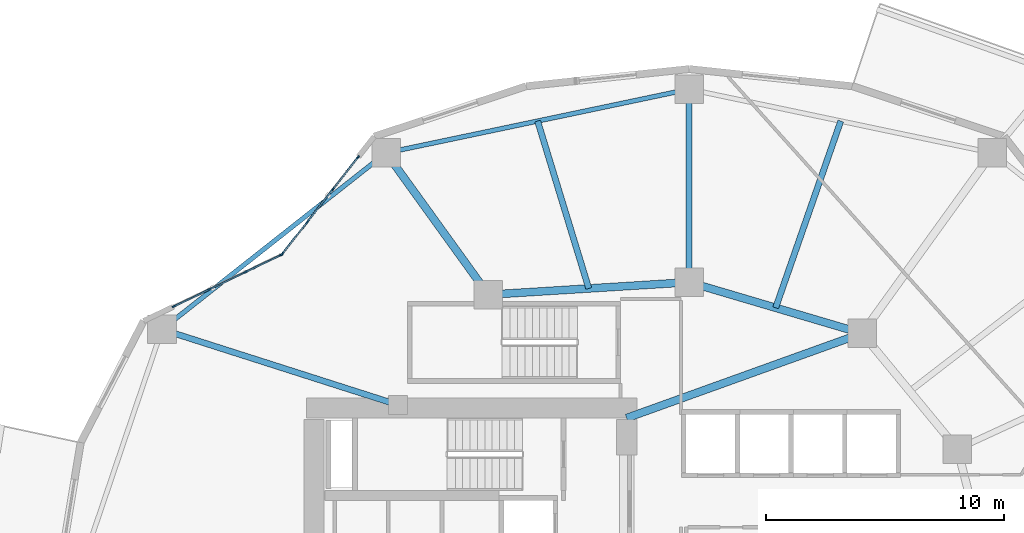
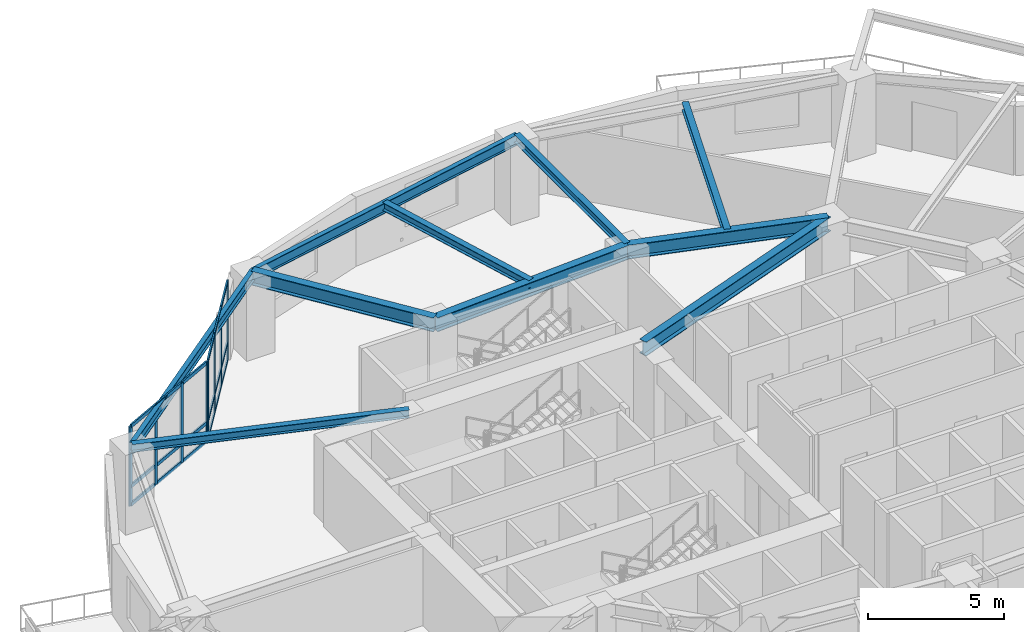
# One storey, part 6 of 18: 26 members, 10 beams, 2 elements without a shape of their own.
"""IFC4 building model written with IfcOpenShell, lengths in metres."""

from ifc_helpers import new_model, si_unit, direction, frame, origin, origin_2d, place, context, subcontext, project, spatial, rectangle, i_section, extrude, material, layer, layer_set, material_profile, profile_set, type_object, element, aggregate, save


model = new_model("IFC4")

# Units and contexts
model_context = context("Model", 3, precision=1e-05, world=origin(), true_north=direction((0.0, 1.0)))
body_context = subcontext(model_context, "Body", "Model", "MODEL_VIEW")
ifc_project = project(units=[si_unit("LENGTHUNIT", "METRE"), si_unit("AREAUNIT", "SQUARE_METRE"), si_unit("VOLUMEUNIT", "CUBIC_METRE"), si_unit("PLANEANGLEUNIT", "RADIAN"), si_unit("MASSUNIT", "GRAM", prefix="KILO")], contexts=[model_context])

# Site, building, storey
site_placement = place(None, origin())
site = spatial("IfcSite", under=ifc_project, at=site_placement, CompositionType="ELEMENT")
building_placement = place(site_placement, origin())
building = spatial("IfcBuilding", under=site, at=building_placement, Name="Kolvaren Gate Tower and Convention Centre", CompositionType="ELEMENT")
storey_placement = place(building_placement, frame((0.0, 0.0, 53.449951171875)))
storey = spatial("IfcBuildingStorey", under=building, at=storey_placement, Name="L12", CompositionType="ELEMENT", Elevation=53.449951171875)

# Curtain wall, members
ifc_material_1 = material(Name="Anodized Architectural Aluminium Alloy 6063-T6", Category="aluminium")
ifc_layer = layer(ifc_material_1, 0.159912109375)
ifc_layer_set = layer_set([ifc_layer], Name="Anodized Architectural Aluminium Alloy 6063-T6")
curtain_wall_type = type_object("IfcCurtainWallType", Name="CW-OFF-UNIT", PredefinedType="NOTDEFINED", material=ifc_layer_set)
curtain_wall_1_placement = place(storey_placement, origin())
curtain_wall_1 = element("IfcCurtainWall", 1, at=curtain_wall_1_placement, inside=storey, type_object=curtain_wall_type, Name="Tower L12 Unitised Curtain Wall CW-OFF-UNIT Bay 08", PredefinedType="NOTDEFINED")
ifc_material_profile_1 = material_profile(ifc_material_1, rectangle(XDim=0.06494140625, YDim=0.159912109375, at=origin_2d()), Name="CW-MEM-MUL-160")
ifc_profile_set_1 = profile_set([ifc_material_profile_1], Name="Anodized Architectural Aluminium Alloy 6063-T6")
member_type_1 = type_object("IfcMemberType", Name="CW-MEM-MUL-160", PredefinedType="MULLION", material=ifc_profile_set_1)
member_1_placement = place(storey_placement, frame((13.046142578125, 40.3857421875, 0.0), z_axis=(0.0, 0.0, 1.0), x_axis=(-0.787403080271, 0.616438471527, 0.0)))
member_1 = element("IfcMember", 2, at=member_1_placement, type_object=member_type_1, Name="CW-02 mullion 1", PredefinedType="MULLION", context=body_context, shape_type="SweptSolid", body=[
    extrude(rectangle(XDim=0.06494140625, YDim=0.159912109375, at=origin_2d()), origin(), (0.0, 0.0, 1.0), 3.570068359375),
])
member_2_placement = place(storey_placement, frame((14.098388671875, 41.729736328125, 0.0), z_axis=(0.0, 0.0, 1.0), x_axis=(-0.787403080271, 0.616438471527, 0.0)))
member_2 = element("IfcMember", 3, at=member_2_placement, type_object=member_type_1, Name="CW-02 mullion 2", PredefinedType="MULLION", context=body_context, shape_type="SweptSolid", body=[
    extrude(rectangle(XDim=0.06494140625, YDim=0.159912109375, at=origin_2d()), origin(), (0.0, 0.0, 1.0), 3.570068359375),
])
member_3_placement = place(storey_placement, frame((15.17041015625, 43.09912109375, 0.0), z_axis=(0.0, 0.0, 1.0), x_axis=(-0.787403080271, 0.616438471527, 0.0)))
member_3 = element("IfcMember", 4, at=member_3_placement, type_object=member_type_1, Name="CW-02 mullion 3", PredefinedType="MULLION", context=body_context, shape_type="SweptSolid", body=[
    extrude(rectangle(XDim=0.06494140625, YDim=0.159912109375, at=origin_2d()), origin(), (0.0, 0.0, 1.0), 3.570068359375),
])
member_4_placement = place(storey_placement, frame((16.22265625, 44.443115234375, 0.0), z_axis=(0.0, 0.0, 1.0), x_axis=(-0.787403080271, 0.616438471527, 0.0)))
member_4 = element("IfcMember", 5, at=member_4_placement, type_object=member_type_1, Name="CW-02 mullion 4", PredefinedType="MULLION", context=body_context, shape_type="SweptSolid", body=[
    extrude(rectangle(XDim=0.06494140625, YDim=0.159912109375, at=origin_2d()), origin(), (0.0, 0.0, 1.0), 3.570068359375),
])

curtain_wall_2_placement = place(storey_placement, origin())
curtain_wall_2 = element("IfcCurtainWall", 6, at=curtain_wall_2_placement, inside=storey, type_object=curtain_wall_type, Name="Tower L12 Unitised Curtain Wall CW-OFF-UNIT Bay 09", PredefinedType="NOTDEFINED")
member_5_placement = place(storey_placement, frame((8.503662109375, 38.187255859375, 0.0), z_axis=(0.0, 0.0, 1.0), x_axis=(-0.433074806981, 0.901357981913, 0.0)))
member_5 = element("IfcMember", 7, at=member_5_placement, type_object=member_type_1, Name="CW-02 mullion 1", PredefinedType="MULLION", context=body_context, shape_type="SweptSolid", body=[
    extrude(rectangle(XDim=0.06494140625, YDim=0.159912109375, at=origin_2d()), origin(), (0.0, 0.0, 1.0), 3.570068359375),
])
member_6_placement = place(storey_placement, frame((9.991455078125, 38.902099609375, 0.0), z_axis=(0.0, 0.0, 1.0), x_axis=(-0.433074806981, 0.901357981913, 0.0)))
member_6 = element("IfcMember", 8, at=member_6_placement, type_object=member_type_1, Name="CW-02 mullion 2", PredefinedType="MULLION", context=body_context, shape_type="SweptSolid", body=[
    extrude(rectangle(XDim=0.06494140625, YDim=0.159912109375, at=origin_2d()), origin(), (0.0, 0.0, 1.0), 3.570068359375),
])
member_7_placement = place(storey_placement, frame((11.5087890625, 39.631103515625, 0.0), z_axis=(0.0, 0.0, 1.0), x_axis=(-0.433074806981, 0.901357981913, 0.0)))
member_7 = element("IfcMember", 9, at=member_7_placement, type_object=member_type_1, Name="CW-02 mullion 3", PredefinedType="MULLION", context=body_context, shape_type="SweptSolid", body=[
    extrude(rectangle(XDim=0.06494140625, YDim=0.159912109375, at=origin_2d()), origin(), (0.0, 0.0, 1.0), 3.570068359375),
])
member_8_placement = place(storey_placement, frame((12.996826171875, 40.345947265625, 0.0), z_axis=(0.0, 0.0, 1.0), x_axis=(-0.433074806981, 0.901357981913, 0.0)))
member_8 = element("IfcMember", 10, at=member_8_placement, type_object=member_type_1, Name="CW-02 mullion 4", PredefinedType="MULLION", context=body_context, shape_type="SweptSolid", body=[
    extrude(rectangle(XDim=0.06494140625, YDim=0.159912109375, at=origin_2d()), origin(), (0.0, 0.0, 1.0), 3.570068359375),
])

# Member
ifc_material_profile_2 = material_profile(ifc_material_1, rectangle(XDim=0.06494140625, YDim=0.159912109375, at=origin_2d()), Name="CW-MEM-TRN-160")
ifc_profile_set_2 = profile_set([ifc_material_profile_2], Name="Anodized Architectural Aluminium Alloy 6063-T6")
member_type_2 = type_object("IfcMemberType", Name="CW-MEM-TRN-160", PredefinedType="USERDEFINED", material=ifc_profile_set_2)
member_9_placement = place(storey_placement, frame((13.066162109375, 40.411376953125, 0.032470703125), z_axis=(0.61650069609, 0.787354362228, 0.0), x_axis=(-0.787354362228, 0.61650069609, 0.0)))
member_9 = element("IfcMember", 11, at=member_9_placement, type_object=member_type_2, Name="CW-02 transom 1.1", ObjectType="TRANSOM", PredefinedType="USERDEFINED", context=body_context, shape_type="SweptSolid", body=[
    extrude(rectangle(XDim=0.06494140625, YDim=0.159912109375, at=origin_2d()), origin(), (0.0, 0.0, 1.0), 1.641845703125),
])

member_10_placement = place(storey_placement, frame((13.066162109375, 40.411376953125, 0.85009765625), z_axis=(0.61650069609, 0.787354362228, 0.0), x_axis=(-0.787354362228, 0.61650069609, 0.0)))
member_10 = element("IfcMember", 12, at=member_10_placement, type_object=member_type_2, Name="CW-02 transom 1.2", ObjectType="TRANSOM", PredefinedType="USERDEFINED", context=body_context, shape_type="SweptSolid", body=[
    extrude(rectangle(XDim=0.06494140625, YDim=0.159912109375, at=origin_2d()), origin(), (0.0, 0.0, 1.0), 1.641845703125),
])

member_11_placement = place(storey_placement, frame((13.066162109375, 40.411376953125, 3.53759765625), z_axis=(0.61650069609, 0.787354362228, 0.0), x_axis=(-0.787354362228, 0.61650069609, 0.0)))
member_11 = element("IfcMember", 13, at=member_11_placement, type_object=member_type_2, Name="CW-02 transom 1.3", ObjectType="TRANSOM", PredefinedType="USERDEFINED", context=body_context, shape_type="SweptSolid", body=[
    extrude(rectangle(XDim=0.06494140625, YDim=0.159912109375, at=origin_2d()), origin(), (0.0, 0.0, 1.0), 1.641845703125),
])

member_12_placement = place(storey_placement, frame((14.118408203125, 41.75537109375, 0.032470703125), z_axis=(0.61639082822, 0.787440376718, 0.0), x_axis=(-0.787440376718, 0.61639082822, 0.0)))
member_12 = element("IfcMember", 14, at=member_12_placement, type_object=member_type_2, Name="CW-02 transom 2.1", ObjectType="TRANSOM", PredefinedType="USERDEFINED", context=body_context, shape_type="SweptSolid", body=[
    extrude(rectangle(XDim=0.06494140625, YDim=0.159912109375, at=origin_2d()), origin(), (0.0, 0.0, 1.0), 1.67431640625),
])

member_13_placement = place(storey_placement, frame((14.118408203125, 41.75537109375, 0.85009765625), z_axis=(0.61639082822, 0.787440376718, 0.0), x_axis=(-0.787440376718, 0.61639082822, 0.0)))
member_13 = element("IfcMember", 15, at=member_13_placement, type_object=member_type_2, Name="CW-02 transom 2.2", ObjectType="TRANSOM", PredefinedType="USERDEFINED", context=body_context, shape_type="SweptSolid", body=[
    extrude(rectangle(XDim=0.06494140625, YDim=0.159912109375, at=origin_2d()), origin(), (0.0, 0.0, 1.0), 1.67431640625),
])

member_14_placement = place(storey_placement, frame((14.118408203125, 41.75537109375, 3.53759765625), z_axis=(0.61639082822, 0.787440376718, 0.0), x_axis=(-0.787440376718, 0.61639082822, 0.0)))
member_14 = element("IfcMember", 16, at=member_14_placement, type_object=member_type_2, Name="CW-02 transom 2.3", ObjectType="TRANSOM", PredefinedType="USERDEFINED", context=body_context, shape_type="SweptSolid", body=[
    extrude(rectangle(XDim=0.06494140625, YDim=0.159912109375, at=origin_2d()), origin(), (0.0, 0.0, 1.0), 1.67431640625),
])

member_15_placement = place(storey_placement, frame((15.1904296875, 43.124755859375, 0.032470703125), z_axis=(0.616428523412, 0.787410868304, 0.0), x_axis=(-0.787410868304, 0.616428523412, 0.0)))
member_15 = element("IfcMember", 17, at=member_15_placement, type_object=member_type_2, Name="CW-02 transom 3.1", ObjectType="TRANSOM", PredefinedType="USERDEFINED", context=body_context, shape_type="SweptSolid", body=[
    extrude(rectangle(XDim=0.06494140625, YDim=0.159912109375, at=origin_2d()), origin(), (0.0, 0.0, 1.0), 1.64208984375),
])

member_16_placement = place(storey_placement, frame((15.1904296875, 43.124755859375, 0.85009765625), z_axis=(0.616428523412, 0.787410868304, 0.0), x_axis=(-0.787410868304, 0.616428523412, 0.0)))
member_16 = element("IfcMember", 18, at=member_16_placement, type_object=member_type_2, Name="CW-02 transom 3.2", ObjectType="TRANSOM", PredefinedType="USERDEFINED", context=body_context, shape_type="SweptSolid", body=[
    extrude(rectangle(XDim=0.06494140625, YDim=0.159912109375, at=origin_2d()), origin(), (0.0, 0.0, 1.0), 1.64208984375),
])

member_17_placement = place(storey_placement, frame((15.1904296875, 43.124755859375, 3.53759765625), z_axis=(0.616428523412, 0.787410868304, 0.0), x_axis=(-0.787410868304, 0.616428523412, 0.0)))
member_17 = element("IfcMember", 19, at=member_17_placement, type_object=member_type_2, Name="CW-02 transom 3.3", ObjectType="TRANSOM", PredefinedType="USERDEFINED", context=body_context, shape_type="SweptSolid", body=[
    extrude(rectangle(XDim=0.06494140625, YDim=0.159912109375, at=origin_2d()), origin(), (0.0, 0.0, 1.0), 1.64208984375),
])

aggregate(curtain_wall_1, [member_1, member_2, member_3, member_4, member_9, member_10, member_11, member_12, member_13, member_14, member_15, member_16, member_17])

member_18_placement = place(storey_placement, frame((8.532958984375, 38.201171875, 0.032470703125), z_axis=(0.901337971308, 0.43311645256, 0.0), x_axis=(-0.43311645256, 0.901337971308, 0.0)))
member_18 = element("IfcMember", 20, at=member_18_placement, type_object=member_type_2, Name="CW-02 transom 1.1", ObjectType="TRANSOM", PredefinedType="USERDEFINED", context=body_context, shape_type="SweptSolid", body=[
    extrude(rectangle(XDim=0.06494140625, YDim=0.159912109375, at=origin_2d()), origin(), (0.0, 0.0, 1.0), 1.585693359375),
])

member_19_placement = place(storey_placement, frame((8.532958984375, 38.201171875, 0.85009765625), z_axis=(0.901337971308, 0.43311645256, 0.0), x_axis=(-0.43311645256, 0.901337971308, 0.0)))
member_19 = element("IfcMember", 21, at=member_19_placement, type_object=member_type_2, Name="CW-02 transom 1.2", ObjectType="TRANSOM", PredefinedType="USERDEFINED", context=body_context, shape_type="SweptSolid", body=[
    extrude(rectangle(XDim=0.06494140625, YDim=0.159912109375, at=origin_2d()), origin(), (0.0, 0.0, 1.0), 1.585693359375),
])

member_20_placement = place(storey_placement, frame((8.532958984375, 38.201171875, 3.53759765625), z_axis=(0.901337971308, 0.43311645256, 0.0), x_axis=(-0.43311645256, 0.901337971308, 0.0)))
member_20 = element("IfcMember", 22, at=member_20_placement, type_object=member_type_2, Name="CW-02 transom 1.3", ObjectType="TRANSOM", PredefinedType="USERDEFINED", context=body_context, shape_type="SweptSolid", body=[
    extrude(rectangle(XDim=0.06494140625, YDim=0.159912109375, at=origin_2d()), origin(), (0.0, 0.0, 1.0), 1.585693359375),
])

member_21_placement = place(storey_placement, frame((10.020751953125, 38.916259765625, 0.032470703125), z_axis=(0.901405315808, 0.432976277217, 0.0), x_axis=(-0.432976277217, 0.901405315808, 0.0)))
member_21 = element("IfcMember", 23, at=member_21_placement, type_object=member_type_2, Name="CW-02 transom 2.1", ObjectType="TRANSOM", PredefinedType="USERDEFINED", context=body_context, shape_type="SweptSolid", body=[
    extrude(rectangle(XDim=0.06494140625, YDim=0.159912109375, at=origin_2d()), origin(), (0.0, 0.0, 1.0), 1.618408203125),
])

member_22_placement = place(storey_placement, frame((10.020751953125, 38.916259765625, 0.85009765625), z_axis=(0.901405315808, 0.432976277217, 0.0), x_axis=(-0.432976277217, 0.901405315808, 0.0)))
member_22 = element("IfcMember", 24, at=member_22_placement, type_object=member_type_2, Name="CW-02 transom 2.2", ObjectType="TRANSOM", PredefinedType="USERDEFINED", context=body_context, shape_type="SweptSolid", body=[
    extrude(rectangle(XDim=0.06494140625, YDim=0.159912109375, at=origin_2d()), origin(), (0.0, 0.0, 1.0), 1.618408203125),
])

member_23_placement = place(storey_placement, frame((10.020751953125, 38.916259765625, 3.53759765625), z_axis=(0.901405315808, 0.432976277217, 0.0), x_axis=(-0.432976277217, 0.901405315808, 0.0)))
member_23 = element("IfcMember", 25, at=member_23_placement, type_object=member_type_2, Name="CW-02 transom 2.3", ObjectType="TRANSOM", PredefinedType="USERDEFINED", context=body_context, shape_type="SweptSolid", body=[
    extrude(rectangle(XDim=0.06494140625, YDim=0.159912109375, at=origin_2d()), origin(), (0.0, 0.0, 1.0), 1.618408203125),
])

member_24_placement = place(storey_placement, frame((11.5380859375, 39.645263671875, 0.032470703125), z_axis=(0.90136684843, 0.433056352628, 0.0), x_axis=(-0.433056352628, 0.90136684843, 0.0)))
member_24 = element("IfcMember", 26, at=member_24_placement, type_object=member_type_2, Name="CW-02 transom 3.1", ObjectType="TRANSOM", PredefinedType="USERDEFINED", context=body_context, shape_type="SweptSolid", body=[
    extrude(rectangle(XDim=0.06494140625, YDim=0.159912109375, at=origin_2d()), origin(), (0.0, 0.0, 1.0), 1.5859375),
])

member_25_placement = place(storey_placement, frame((11.5380859375, 39.645263671875, 0.85009765625), z_axis=(0.90136684843, 0.433056352628, 0.0), x_axis=(-0.433056352628, 0.90136684843, 0.0)))
member_25 = element("IfcMember", 27, at=member_25_placement, type_object=member_type_2, Name="CW-02 transom 3.2", ObjectType="TRANSOM", PredefinedType="USERDEFINED", context=body_context, shape_type="SweptSolid", body=[
    extrude(rectangle(XDim=0.06494140625, YDim=0.159912109375, at=origin_2d()), origin(), (0.0, 0.0, 1.0), 1.5859375),
])

member_26_placement = place(storey_placement, frame((11.5380859375, 39.645263671875, 3.53759765625), z_axis=(0.90136684843, 0.433056352628, 0.0), x_axis=(-0.433056352628, 0.90136684843, 0.0)))
member_26 = element("IfcMember", 28, at=member_26_placement, type_object=member_type_2, Name="CW-02 transom 3.3", ObjectType="TRANSOM", PredefinedType="USERDEFINED", context=body_context, shape_type="SweptSolid", body=[
    extrude(rectangle(XDim=0.06494140625, YDim=0.159912109375, at=origin_2d()), origin(), (0.0, 0.0, 1.0), 1.5859375),
])

aggregate(curtain_wall_2, [member_5, member_6, member_7, member_8, member_18, member_19, member_20, member_21, member_22, member_23, member_24, member_25, member_26])

# Beams
ifc_material_2 = material(Name="Structural steel ASTM A992 Grade 345 MPa", Category="steel")
ifc_material_profile_3 = material_profile(ifc_material_2, i_section(OverallWidth=0.327880859375, OverallDepth=0.6279296875, WebThickness=0.0166015625, FlangeThickness=0.027587890625, at=origin_2d()), Name="W610X217")
ifc_profile_set_3 = profile_set([ifc_material_profile_3], Name="Structural steel ASTM A992 Grade 345 MPa")
beam_type_1 = type_object("IfcBeamType", Name="STR-BM-W610X217", PredefinedType="BEAM", material=ifc_profile_set_3)
beam_1_placement = place(storey_placement, frame((37.381591796875, 37.054931640625, 3.256103515625), z_axis=(-0.958980837827, 0.283470902706, 0.0), x_axis=(-0.283470902706, -0.958980837827, 0.0)))
element("IfcBeam", 29, at=beam_1_placement, inside=storey, type_object=beam_type_1, Name="Tower L12 Primary Ring Girder G-03", PredefinedType="BEAM", context=body_context, shape_type="SweptSolid", body=[
    extrude(i_section(OverallWidth=0.327880859375, OverallDepth=0.6279296875, WebThickness=0.0166015625, FlangeThickness=0.027587890625, at=origin_2d()), origin(), (0.0, 0.0, 1.0), 7.56689453125),
])
beam_2_placement = place(storey_placement, frame((30.125, 39.199951171875, 3.256103515625), z_axis=(-0.998078258568, -0.06196603726, 0.0), x_axis=(0.06196603726, -0.998078258568, 0.0)))
element("IfcBeam", 30, at=beam_2_placement, inside=storey, type_object=beam_type_1, Name="Tower L12 Primary Ring Girder G-04", PredefinedType="BEAM", context=body_context, shape_type="SweptSolid", body=[
    extrude(i_section(OverallWidth=0.327880859375, OverallDepth=0.6279296875, WebThickness=0.0166015625, FlangeThickness=0.027587890625, at=origin_2d()), origin(), (0.0, 0.0, 1.0), 8.443115234375),
])
beam_3_placement = place(storey_placement, frame((27.5, 33.5, 3.256103515625), z_axis=(0.940961479908, 0.338513653093, 0.0), x_axis=(-0.338513653093, 0.940961479908, 0.0)))
element("IfcBeam", 31, at=beam_3_placement, inside=storey, type_object=beam_type_1, Name="Tower L12 Primary Ring Girder G-10", PredefinedType="BEAM", context=body_context, shape_type="SweptSolid", body=[
    extrude(i_section(OverallWidth=0.327880859375, OverallDepth=0.6279296875, WebThickness=0.0166015625, FlangeThickness=0.027587890625, at=origin_2d()), origin(), (0.0, 0.0, 1.0), 10.501708984375),
])
beam_4_placement = place(storey_placement, frame((21.697998046875, 38.6767578125, 3.256103515625), z_axis=(-0.585190474102, 0.810895868173, 0.0), x_axis=(-0.810895868173, -0.585190474102, 0.0)))
element("IfcBeam", 32, at=beam_4_placement, inside=storey, type_object=beam_type_1, Name="Tower L12 Radial Floor Girder RB-05", PredefinedType="BEAM", context=body_context, shape_type="SweptSolid", body=[
    extrude(i_section(OverallWidth=0.327880859375, OverallDepth=0.6279296875, WebThickness=0.0166015625, FlangeThickness=0.027587890625, at=origin_2d()), origin(), (0.0, 0.0, 1.0), 7.338134765625),
])
ifc_material_profile_4 = material_profile(ifc_material_2, i_section(OverallWidth=0.2548828125, OverallDepth=0.35693359375, WebThickness=0.010498046875, FlangeThickness=0.018310546875, at=origin_2d()), Name="W360X101")
ifc_profile_set_4 = profile_set([ifc_material_profile_4], Name="Structural steel ASTM A992 Grade 345 MPa")
beam_type_2 = type_object("IfcBeamType", Name="STR-JS-W360X101", PredefinedType="JOIST", material=ifc_profile_set_4)
beam_5_placement = place(storey_placement, frame((30.125, 39.199951171875, 3.3916015625), z_axis=(0.0, 1.0, 0.0), x_axis=(-1.0, 0.0, 0.0)))
element("IfcBeam", 33, at=beam_5_placement, inside=storey, type_object=beam_type_2, Name="Tower L12 Radial Floor Girder RB-04", PredefinedType="JOIST", context=body_context, shape_type="SweptSolid", body=[
    extrude(i_section(OverallWidth=0.2548828125, OverallDepth=0.35693359375, WebThickness=0.010498046875, FlangeThickness=0.018310546875, at=origin_2d()), origin(), (0.0, 0.0, 1.0), 8.10009765625),
])
beam_6_placement = place(storey_placement, frame((17.9140625, 34.050048828125, 3.3916015625), z_axis=(-0.952525967456, 0.304457355507, 0.0), x_axis=(-0.304457355507, -0.952525967456, 0.0)))
element("IfcBeam", 34, at=beam_6_placement, inside=storey, type_object=beam_type_2, Name="Tower L12 Radial Floor Girder RB-06", PredefinedType="JOIST", context=body_context, shape_type="SweptSolid", body=[
    extrude(i_section(OverallWidth=0.2548828125, OverallDepth=0.35693359375, WebThickness=0.010498046875, FlangeThickness=0.018310546875, at=origin_2d()), origin(), (0.0, 0.0, 1.0), 10.406982421875),
])
beam_7_placement = place(storey_placement, frame((33.75341796875, 38.12744140625, 3.3916015625), z_axis=(0.329233693857, 0.944248470917, 0.0), x_axis=(-0.944248470917, 0.329233693857, 0.0)))
element("IfcBeam", 35, at=beam_7_placement, inside=storey, type_object=beam_type_2, Name="Tower L12 Secondary Composite Floor Joist J-03.1", PredefinedType="JOIST", context=body_context, shape_type="SweptSolid", body=[
    extrude(i_section(OverallWidth=0.2548828125, OverallDepth=0.35693359375, WebThickness=0.010498046875, FlangeThickness=0.018310546875, at=origin_2d()), origin(), (0.0, 0.0, 1.0), 8.298583984375),
])
beam_8_placement = place(storey_placement, frame((25.91162109375, 38.938232421875, 3.3916015625), z_axis=(-0.292298748053, 0.956327058012, 0.0), x_axis=(-0.956327058012, -0.292298748053, 0.0)))
element("IfcBeam", 36, at=beam_8_placement, inside=storey, type_object=beam_type_2, Name="Tower L12 Secondary Composite Floor Joist J-04.1", PredefinedType="JOIST", context=body_context, shape_type="SweptSolid", body=[
    extrude(i_section(OverallWidth=0.2548828125, OverallDepth=0.35693359375, WebThickness=0.010498046875, FlangeThickness=0.018310546875, at=origin_2d()), origin(), (0.0, 0.0, 1.0), 7.345947265625),
])
ifc_material_profile_5 = material_profile(ifc_material_2, i_section(OverallWidth=0.194091796875, OverallDepth=0.468994140625, WebThickness=0.0126953125, FlangeThickness=0.0205078125, at=origin_2d()), Name="W460X106")
ifc_profile_set_5 = profile_set([ifc_material_profile_5], Name="Structural steel ASTM A992 Grade 345 MPa")
beam_type_3 = type_object("IfcBeamType", Name="STR-SP-W460X106", PredefinedType="SPANDREL", material=ifc_profile_set_5)
beam_9_placement = place(storey_placement, frame((30.125, 47.300048828125, 3.33544921875), z_axis=(-0.97863180809, -0.205620485836, 0.0), x_axis=(0.205620485836, -0.97863180809, 0.0)))
element("IfcBeam", 37, at=beam_9_placement, inside=storey, type_object=beam_type_3, Name="Tower L12 Perimeter Spandrel Beam SP-04", PredefinedType="SPANDREL", context=body_context, shape_type="SweptSolid", body=[
    extrude(i_section(OverallWidth=0.194091796875, OverallDepth=0.468994140625, WebThickness=0.0126953125, FlangeThickness=0.0205078125, at=origin_2d()), origin(), (0.0, 0.0, 1.0), 12.9990234375),
])
beam_10_placement = place(storey_placement, frame((17.40380859375, 44.627197265625, 3.33544921875), z_axis=(-0.785467636887, -0.618902731778, 0.0), x_axis=(0.618902731778, -0.785467636887, 0.0)))
element("IfcBeam", 38, at=beam_10_placement, inside=storey, type_object=beam_type_3, Name="Tower L12 Perimeter Spandrel Beam SP-05", PredefinedType="SPANDREL", context=body_context, shape_type="SweptSolid", body=[
    extrude(i_section(OverallWidth=0.194091796875, OverallDepth=0.468994140625, WebThickness=0.0126953125, FlangeThickness=0.0205078125, at=origin_2d()), origin(), (0.0, 0.0, 1.0), 11.970703125),
])

save(model, "model.ifc")
